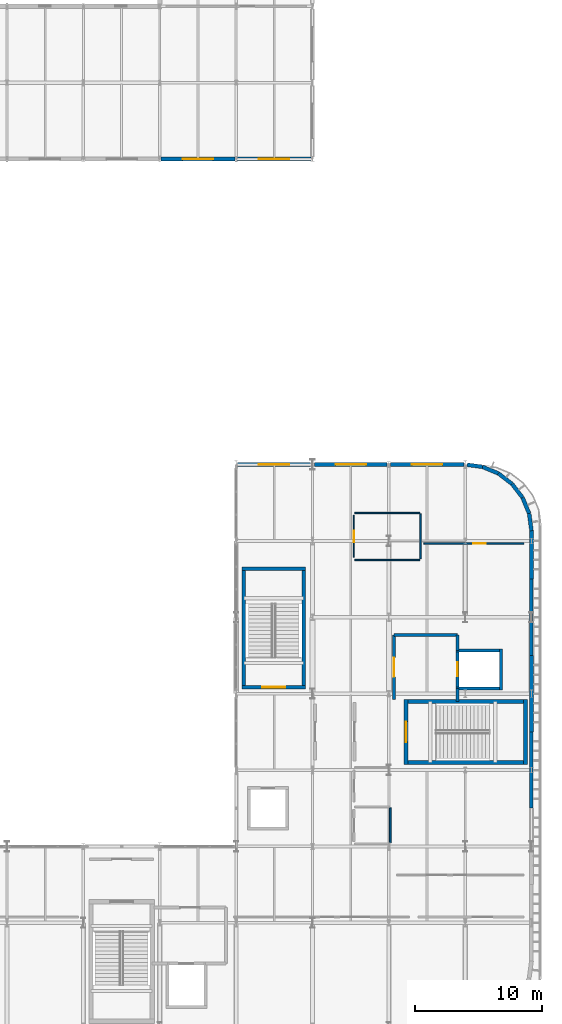
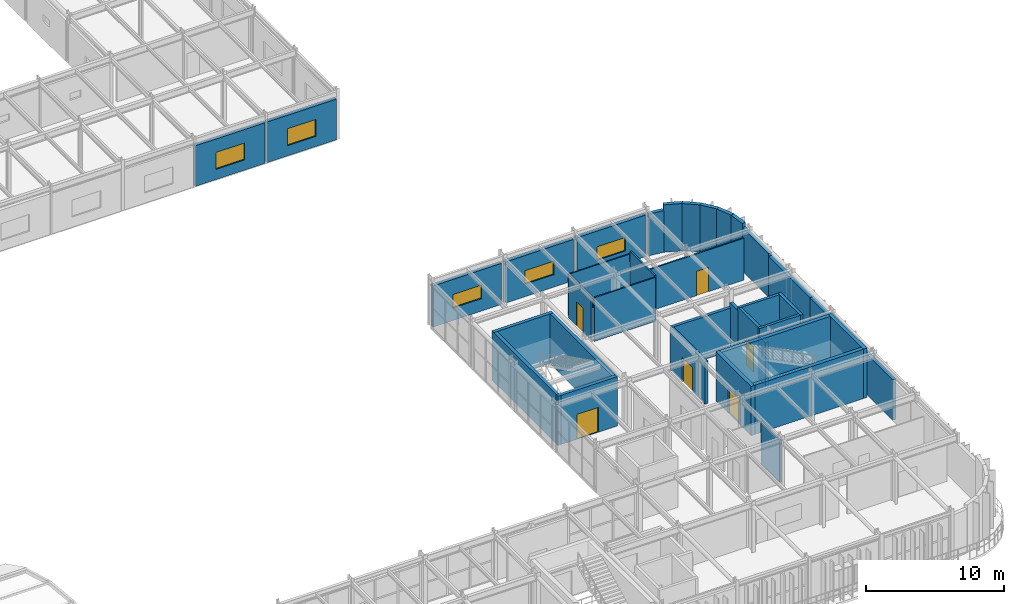
# One storey, part 63 of 84: 37 walls, 6 doors, 5 windows, 11 openings.
"""IFC4 building model written with IfcOpenShell, lengths in metres."""

from ifc_helpers import new_model, si_unit, direction, frame, frame_2d, origin, place, context, subcontext, project, spatial, rectangle, extrude, material, layer, layer_set, type_object, element, fill, save


model = new_model("IFC4")

# Units and contexts
model_context = context("Model", 3, precision=1e-05, world=origin(), true_north=direction((0.0, 1.0)))
body_context = subcontext(model_context, "Body", "Model", "MODEL_VIEW")
ifc_project = project(units=[si_unit("LENGTHUNIT", "METRE"), si_unit("AREAUNIT", "SQUARE_METRE"), si_unit("VOLUMEUNIT", "CUBIC_METRE"), si_unit("PLANEANGLEUNIT", "RADIAN"), si_unit("MASSUNIT", "GRAM", prefix="KILO")], contexts=[model_context])

# Site, building, storey
site_placement = place(None, origin())
site = spatial("IfcSite", under=ifc_project, at=site_placement, CompositionType="ELEMENT")
building_placement = place(site_placement, origin())
building = spatial("IfcBuilding", under=site, at=building_placement, Name="Varnakota Square Police Headquarters", CompositionType="ELEMENT")
storey_placement = place(building_placement, frame((0.0, 0.0, 13.5)))
storey = spatial("IfcBuildingStorey", under=building, at=storey_placement, Name="L03", CompositionType="ELEMENT", Elevation=13.5)

# Walls
ifc_material_1 = material(Name="Concrete M40", Category="concrete")
ifc_layer_1 = layer(ifc_material_1, 0.22998046875, Name="Concrete M40")
ifc_layer_set_1 = layer_set([ifc_layer_1], Name="Concrete M40")
wall_type_1 = type_object("IfcWallType", Name="WL-CORE-230", PredefinedType="SHEAR", material=ifc_layer_set_1)
wall_1_placement = place(storey_placement, frame((155.284912109375, 27.39990234375, 0.0), z_axis=(0.0, 0.0, 1.0), x_axis=(1.0, 0.0, 0.0)))
element("IfcWall", 1, at=wall_1_placement, inside=storey, type_object=wall_type_1, Name="Lift shaft wall LF-FF2 L03 S", PredefinedType="SHEAR", context=body_context, shape_type="SweptSolid", body=[
    extrude(rectangle(XDim=3.630126953125, YDim=0.22998046875, at=frame_2d((1.81494140625, 0.0))), origin(), (0.0, 0.0, 1.0), 4.5),
])
wall_2_placement = place(storey_placement, frame((158.800048828125, 27.284912109375, 0.0), z_axis=(0.0, 0.0, 1.0), x_axis=(0.0, 1.0, 0.0)))
element("IfcWall", 2, at=wall_2_placement, inside=storey, type_object=wall_type_1, Name="Lift shaft wall LF-FF2 L03 E", PredefinedType="SHEAR", context=body_context, shape_type="SweptSolid", body=[
    extrude(rectangle(XDim=3.22998046875, YDim=0.22998046875, at=frame_2d((1.614990234375, 0.0))), origin(), (0.0, 0.0, 1.0), 4.5),
])
wall_3_placement = place(storey_placement, frame((158.9150390625, 30.39990234375, 0.0), z_axis=(0.0, 0.0, 1.0), x_axis=(-1.0, 0.0, 0.0)))
element("IfcWall", 3, at=wall_3_placement, inside=storey, type_object=wall_type_1, Name="Lift shaft wall LF-FF2 L03 N", PredefinedType="SHEAR", context=body_context, shape_type="SweptSolid", body=[
    extrude(rectangle(XDim=3.630126953125, YDim=0.22998046875, at=frame_2d((1.81494140625, 0.0))), origin(), (0.0, 0.0, 1.0), 4.5),
])

# Wall, opening, door
wall_4_placement = place(storey_placement, frame((155.39990234375, 30.514892578125, 0.0), z_axis=(0.0, 0.0, 1.0), x_axis=(0.0, -1.0, 0.0)))
wall_4 = element("IfcWall", 4, at=wall_4_placement, inside=storey, type_object=wall_type_1, Name="Lift shaft wall LF-FF2 L03 W", PredefinedType="SHEAR", context=body_context, shape_type="SweptSolid", body=[
    extrude(rectangle(XDim=3.22998046875, YDim=0.22998046875, at=frame_2d((1.614990234375, 0.0))), origin(), (0.0, 0.0, 1.0), 4.5),
])
opening_1_placement = place(wall_4_placement, frame((1.06494140625, 0.0, 0.0)))
opening_1 = element("IfcOpeningElement", 5, at=opening_1_placement, cuts=wall_4, Name="Opening LD012", PredefinedType="OPENING", context=body_context, shape_type="SweptSolid", body=[
    extrude(rectangle(XDim=1.10009765625, YDim=2.199951171875, at=frame_2d((0.550048828125, 1.10009765625))), frame((0.0, 0.125, 0.0), z_axis=(0.0, -1.0, 0.0), x_axis=(1.0, 0.0, 0.0)), (0.0, 0.0, 1.0), 0.25),
])
ifc_material_2 = material(Name="Brushed Grade 316 Stainless Steel", Category="steel")
door_type_1 = type_object("IfcDoorType", Name="DR-LD-FF", OperationType="NOTDEFINED", PredefinedType="DOOR", material=ifc_material_2)
door_1_placement = place(opening_1_placement, origin())
door_1 = element("IfcDoor", 6, at=door_1_placement, inside=storey, type_object=door_type_1, Name="Lift sliding landing door LD012", OperationType="SLIDING_TO_LEFT", OverallHeight=2.199951171875, OverallWidth=1.10009765625, PredefinedType="DOOR", context=body_context, shape_type="SweptSolid", body=[
    extrude(rectangle(XDim=1.10009765625, YDim=2.199951171875, at=frame_2d((0.550048828125, 1.10009765625))), frame((0.0, 0.02490234375, 0.0), z_axis=(0.0, -1.0, 0.0), x_axis=(1.0, 0.0, 0.0)), (0.0, 0.0, 1.0), 0.050048828125),
])
fill(opening_1, door_1)

ifc_material_3 = material(Name="Concrete M50", Category="concrete")
ifc_layer_2 = layer(ifc_material_3, 0.27001953125, Name="Concrete M50")
ifc_layer_set_2 = layer_set([ifc_layer_2], Name="Concrete M50")
wall_type_2 = type_object("IfcWallType", Name="WL-CORE-270", PredefinedType="SHEAR", material=ifc_layer_set_2)
wall_5_placement = place(storey_placement, frame((138.465087890625, 27.5, 0.0), z_axis=(0.0, 0.0, 1.0), x_axis=(1.0, 0.0, 0.0)))
wall_5 = element("IfcWall", 7, at=wall_5_placement, inside=storey, type_object=wall_type_2, Name="Core C3 shear wall L03 S", PredefinedType="SHEAR", context=body_context, shape_type="SweptSolid", body=[
    extrude(rectangle(XDim=4.969970703125, YDim=0.27001953125, at=frame_2d((2.48486328125, 0.0))), origin(), (0.0, 0.0, 1.0), 4.360107421875),
])
opening_2_placement = place(wall_5_placement, frame((1.5849609375, 0.0, 0.0)))
opening_2 = element("IfcOpeningElement", 8, at=opening_2_placement, cuts=wall_5, Name="Opening SD052", PredefinedType="OPENING", context=body_context, shape_type="SweptSolid", body=[
    extrude(rectangle(XDim=1.800048828125, YDim=2.199951171875, at=frame_2d((0.89990234375, 1.10009765625))), frame((0.0, 0.14501953125, 0.0), z_axis=(0.0, -1.0, 0.0), x_axis=(1.0, 0.0, 0.0)), (0.0, 0.0, 1.0), 0.2900390625),
])
ifc_material_4 = material(Name="Powder-Coated Galvanised Steel", Category="steel")
door_type_2 = type_object("IfcDoorType", Name="DR-ST-180", OperationType="NOTDEFINED", PredefinedType="DOOR", material=ifc_material_4)
door_2_placement = place(opening_2_placement, origin())
door_2 = element("IfcDoor", 9, at=door_2_placement, inside=storey, type_object=door_type_2, Name="Protected stair door SD052", OperationType="DOUBLE_DOOR_SINGLE_SWING", OverallHeight=2.199951171875, OverallWidth=1.800048828125, PredefinedType="DOOR", context=body_context, shape_type="SweptSolid", body=[
    extrude(rectangle(XDim=1.800048828125, YDim=2.199951171875, at=frame_2d((0.89990234375, 1.10009765625))), frame((0.0, 0.02490234375, 0.0), z_axis=(0.0, -1.0, 0.0), x_axis=(1.0, 0.0, 0.0)), (0.0, 0.0, 1.0), 0.050048828125),
])
fill(opening_2, door_2)

# Walls
wall_6_placement = place(storey_placement, frame((143.300048828125, 27.364990234375, 0.0), z_axis=(0.0, 0.0, 1.0), x_axis=(0.0, 1.0, 0.0)))
element("IfcWall", 10, at=wall_6_placement, inside=storey, type_object=wall_type_2, Name="Core C3 shear wall L03 E", PredefinedType="SHEAR", context=body_context, shape_type="SweptSolid", body=[
    extrude(rectangle(XDim=9.570068359375, YDim=0.27001953125, at=frame_2d((4.78515625, 0.0))), origin(), (0.0, 0.0, 1.0), 4.360107421875),
])
wall_7_placement = place(storey_placement, frame((143.43505859375, 36.800048828125, 0.0), z_axis=(0.0, 0.0, 1.0), x_axis=(-1.0, 0.0, 0.0)))
element("IfcWall", 11, at=wall_7_placement, inside=storey, type_object=wall_type_2, Name="Core C3 shear wall L03 N", PredefinedType="SHEAR", context=body_context, shape_type="SweptSolid", body=[
    extrude(rectangle(XDim=4.969970703125, YDim=0.27001953125, at=frame_2d((2.48486328125, 0.0))), origin(), (0.0, 0.0, 1.0), 4.360107421875),
])
wall_8_placement = place(storey_placement, frame((138.60009765625, 36.93505859375, 0.0), z_axis=(0.0, 0.0, 1.0), x_axis=(0.0, -1.0, 0.0)))
element("IfcWall", 12, at=wall_8_placement, inside=storey, type_object=wall_type_2, Name="Core C3 shear wall L03 W", PredefinedType="SHEAR", context=body_context, shape_type="SweptSolid", body=[
    extrude(rectangle(XDim=9.570068359375, YDim=0.27001953125, at=frame_2d((4.78515625, 0.0))), origin(), (0.0, 0.0, 1.0), 4.360107421875),
])
ifc_layer_3 = layer(ifc_material_3, 0.31005859375, Name="Concrete M50")
ifc_layer_set_3 = layer_set([ifc_layer_3], Name="Concrete M50")
wall_type_3 = type_object("IfcWallType", Name="WL-CORE-310", PredefinedType="SHEAR", material=ifc_layer_set_3)
wall_9_placement = place(storey_placement, frame((151.195068359375, 21.60009765625, 0.0), z_axis=(0.0, 0.0, 1.0), x_axis=(1.0, 0.0, 0.0)))
element("IfcWall", 13, at=wall_9_placement, inside=storey, type_object=wall_type_3, Name="Core C2 shear wall L03 S", PredefinedType="SHEAR", context=body_context, shape_type="SweptSolid", body=[
    extrude(rectangle(XDim=9.7099609375, YDim=0.31005859375, at=frame_2d((4.85498046875, 0.0))), origin(), (0.0, 0.0, 1.0), 4.360107421875),
])
wall_10_placement = place(storey_placement, frame((160.75, 21.445068359375, 0.0), z_axis=(0.0, 0.0, 1.0), x_axis=(0.0, 1.0, 0.0)))
element("IfcWall", 14, at=wall_10_placement, inside=storey, type_object=wall_type_3, Name="Core C2 shear wall L03 E", PredefinedType="SHEAR", context=body_context, shape_type="SweptSolid", body=[
    extrude(rectangle(XDim=5.10986328125, YDim=0.31005859375, at=frame_2d((2.554931640625, 0.0))), origin(), (0.0, 0.0, 1.0), 4.360107421875),
])
wall_11_placement = place(storey_placement, frame((160.905029296875, 26.39990234375, 0.0), z_axis=(0.0, 0.0, 1.0), x_axis=(-1.0, 0.0, 0.0)))
element("IfcWall", 15, at=wall_11_placement, inside=storey, type_object=wall_type_3, Name="Core C2 shear wall L03 N", PredefinedType="SHEAR", context=body_context, shape_type="SweptSolid", body=[
    extrude(rectangle(XDim=9.7099609375, YDim=0.31005859375, at=frame_2d((4.85498046875, 0.0))), origin(), (0.0, 0.0, 1.0), 4.360107421875),
])

# Wall, opening, door
wall_12_placement = place(storey_placement, frame((151.35009765625, 26.554931640625, 0.0), z_axis=(0.0, 0.0, 1.0), x_axis=(0.0, -1.0, 0.0)))
wall_12 = element("IfcWall", 16, at=wall_12_placement, inside=storey, type_object=wall_type_3, Name="Core C2 shear wall L03 W", PredefinedType="SHEAR", context=body_context, shape_type="SweptSolid", body=[
    extrude(rectangle(XDim=5.10986328125, YDim=0.31005859375, at=frame_2d((2.554931640625, 0.0))), origin(), (0.0, 0.0, 1.0), 4.360107421875),
])
opening_3_placement = place(wall_12_placement, frame((1.7548828125, 0.0, 0.0)))
opening_3 = element("IfcOpeningElement", 17, at=opening_3_placement, cuts=wall_12, Name="Opening SD028", PredefinedType="OPENING", context=body_context, shape_type="SweptSolid", body=[
    extrude(rectangle(XDim=1.60009765625, YDim=2.199951171875, at=frame_2d((0.800048828125, 1.10009765625))), frame((0.0, 0.1650390625, 0.0), z_axis=(0.0, -1.0, 0.0), x_axis=(1.0, 0.0, 0.0)), (0.0, 0.0, 1.0), 0.330078125),
])
door_type_3 = type_object("IfcDoorType", Name="DR-ST-160", OperationType="NOTDEFINED", PredefinedType="DOOR", material=ifc_material_4)
door_3_placement = place(opening_3_placement, origin())
door_3 = element("IfcDoor", 18, at=door_3_placement, inside=storey, type_object=door_type_3, Name="Protected stair door SD028", OperationType="DOUBLE_DOOR_SINGLE_SWING", OverallHeight=2.199951171875, OverallWidth=1.60009765625, PredefinedType="DOOR", context=body_context, shape_type="SweptSolid", body=[
    extrude(rectangle(XDim=1.60009765625, YDim=2.199951171875, at=frame_2d((0.800048828125, 1.10009765625))), frame((0.0, 0.02490234375, 0.0), z_axis=(0.0, -1.0, 0.0), x_axis=(1.0, 0.0, 0.0)), (0.0, 0.0, 1.0), 0.050048828125),
])
fill(opening_3, door_3)

# Walls
ifc_layer_4 = layer(ifc_material_1, 0.280029296875, Name="Concrete M40")
ifc_layer_set_4 = layer_set([ifc_layer_4], Name="Concrete M40")
wall_type_4 = type_object("IfcWallType", Name="WL-EXT-280", PredefinedType="SOLIDWALL", material=ifc_layer_set_4)
for number, where, z_axis, x_axis, name in (
    (19, (161.199951171875, 18.0, 0.0), (0.0, 0.0, 1.0), (0.0, 1.0, 0.0), "Exterior wall EW-L03-0217"),
    (20, (161.199951171875, 30.0, 0.0), (0.0, 0.0, 1.0), (0.0, 1.0, 0.0), "Exterior wall EW-L03-0219"),
):
    element("IfcWall", number, at=place(storey_placement, frame(where, z_axis=z_axis, x_axis=x_axis)), inside=storey, type_object=wall_type_4, Name=name, PredefinedType="SOLIDWALL", context=body_context, shape_type="SweptSolid", body=[
        extrude(rectangle(XDim=6.0, YDim=0.280029296875, at=frame_2d((3.0, 0.0))), origin(), (0.0, 0.0, 1.0), 3.590087890625),
    ])
ifc_material_5 = material(Name="Precast concrete M40", Category="concrete")
ifc_layer_5 = layer(ifc_material_5, 0.300048828125, Name="Precast concrete M40")
ifc_layer_set_5 = layer_set([ifc_layer_5], Name="Precast concrete M40")
wall_type_5 = type_object("IfcWallType", Name="WL-EXT-300", PredefinedType="SOLIDWALL", material=ifc_layer_set_5)
wall_13_placement = place(storey_placement, frame((161.199951171875, 24.0, 0.0), z_axis=(0.0, 0.0, 1.0), x_axis=(0.0, 1.0, 0.0)))
element("IfcWall", 21, at=wall_13_placement, inside=storey, type_object=wall_type_5, Name="Exterior wall EW-L03-0218", PredefinedType="SOLIDWALL", context=body_context, shape_type="SweptSolid", body=[
    extrude(rectangle(XDim=6.0, YDim=0.300048828125, at=frame_2d((3.0, 0.0))), origin(), (0.0, 0.0, 1.0), 3.590087890625),
])
wall_14_placement = place(storey_placement, frame((161.199951171875, 36.0, 0.0), z_axis=(0.0, 0.0, 1.0), x_axis=(0.0, 1.0, 0.0)))
element("IfcWall", 22, at=wall_14_placement, inside=storey, type_object=wall_type_5, Name="Exterior wall EW-L03-0220", PredefinedType="SOLIDWALL", context=body_context, shape_type="SweptSolid", body=[
    extrude(rectangle(XDim=3.800048828125, YDim=0.300048828125, at=frame_2d((1.89990234375, 0.0))), origin(), (0.0, 0.0, 1.0), 3.840087890625),
])

# Wall, opening, window
wall_15_placement = place(storey_placement, frame((138.10888671875, 45.0, 0.0), z_axis=(0.0, 0.0, 1.0), x_axis=(1.0, 0.0, 0.0)))
wall_15 = element("IfcWall", 23, at=wall_15_placement, inside=storey, type_object=wall_type_5, Name="Exterior wall EW-L03-0225", PredefinedType="SOLIDWALL", context=body_context, shape_type="SweptSolid", body=[
    extrude(rectangle(XDim=5.72705078125, YDim=0.300048828125, at=frame_2d((2.863525390625, 0.0))), origin(), (0.0, 0.0, 1.0), 3.639892578125),
])
opening_4_placement = place(wall_15_placement, frame((1.66357421875, 0.0, 1.10009765625)))
opening_4 = element("IfcOpeningElement", 24, at=opening_4_placement, cuts=wall_15, Name="Opening W06", PredefinedType="OPENING", context=body_context, shape_type="SweptSolid", body=[
    extrude(rectangle(XDim=2.39990234375, YDim=1.199951171875, at=frame_2d((1.199951171875, 0.60009765625))), frame((0.0, 0.159912109375, 0.0), z_axis=(0.0, -1.0, 0.0), x_axis=(1.0, 0.0, 0.0)), (0.0, 0.0, 1.0), 0.320068359375),
])
ifc_material_6 = material(Name="Thermally Broken Aluminium Double-Glazed Window", Category="aluminium")
window_type_1 = type_object("IfcWindowType", Name="WIN-06", PartitioningType="SINGLE_PANEL", PredefinedType="WINDOW", material=ifc_material_6)
window_1_placement = place(opening_4_placement, origin())
window_1 = element("IfcWindow", 25, at=window_1_placement, inside=storey, type_object=window_type_1, Name="Window WN-L03-0037", OverallHeight=1.199951171875, OverallWidth=2.39990234375, PartitioningType="SINGLE_PANEL", PredefinedType="WINDOW", context=body_context, shape_type="SweptSolid", body=[
    extrude(rectangle(XDim=2.39990234375, YDim=1.199951171875, at=frame_2d((1.199951171875, 0.60009765625))), frame((0.0, 0.030029296875, 0.0), z_axis=(0.0, -1.0, 0.0), x_axis=(1.0, 0.0, 0.0)), (0.0, 0.0, 1.0), 0.06005859375),
])
fill(opening_4, window_1)

wall_16_placement = place(storey_placement, frame((144.1640625, 45.0, 0.0), z_axis=(0.0, 0.0, 1.0), x_axis=(1.0, 0.0, 0.0)))
wall_16 = element("IfcWall", 26, at=wall_16_placement, inside=storey, type_object=wall_type_5, Name="Exterior wall EW-L03-0226", PredefinedType="SOLIDWALL", context=body_context, shape_type="SweptSolid", body=[
    extrude(rectangle(XDim=5.70703125, YDim=0.300048828125, at=frame_2d((2.853515625, 0.0))), origin(), (0.0, 0.0, 1.0), 3.639892578125),
])
opening_5_placement = place(wall_16_placement, frame((1.653564453125, 0.0, 1.10009765625)))
opening_5 = element("IfcOpeningElement", 27, at=opening_5_placement, cuts=wall_16, Name="Opening W06", PredefinedType="OPENING", context=body_context, shape_type="SweptSolid", body=[
    extrude(rectangle(XDim=2.39990234375, YDim=1.199951171875, at=frame_2d((1.199951171875, 0.60009765625))), frame((0.0, 0.159912109375, 0.0), z_axis=(0.0, -1.0, 0.0), x_axis=(1.0, 0.0, 0.0)), (0.0, 0.0, 1.0), 0.320068359375),
])
window_2_placement = place(opening_5_placement, origin())
window_2 = element("IfcWindow", 28, at=window_2_placement, inside=storey, type_object=window_type_1, Name="Window WN-L03-0038", OverallHeight=1.199951171875, OverallWidth=2.39990234375, PartitioningType="SINGLE_PANEL", PredefinedType="WINDOW", context=body_context, shape_type="SweptSolid", body=[
    extrude(rectangle(XDim=2.39990234375, YDim=1.199951171875, at=frame_2d((1.199951171875, 0.60009765625))), frame((0.0, 0.030029296875, 0.0), z_axis=(0.0, -1.0, 0.0), x_axis=(1.0, 0.0, 0.0)), (0.0, 0.0, 1.0), 0.06005859375),
])
fill(opening_5, window_2)

wall_17_placement = place(storey_placement, frame((150.12890625, 45.0, 0.0), z_axis=(0.0, 0.0, 1.0), x_axis=(1.0, 0.0, 0.0)))
wall_17 = element("IfcWall", 29, at=wall_17_placement, inside=storey, type_object=wall_type_5, Name="Exterior wall EW-L03-0227", PredefinedType="SOLIDWALL", context=body_context, shape_type="SweptSolid", body=[
    extrude(rectangle(XDim=5.76220703125, YDim=0.300048828125, at=frame_2d((2.881103515625, 0.0))), origin(), (0.0, 0.0, 1.0), 3.68994140625),
])
opening_6_placement = place(wall_17_placement, frame((1.680908203125, 0.0, 1.10009765625)))
opening_6 = element("IfcOpeningElement", 30, at=opening_6_placement, cuts=wall_17, Name="Opening W06", PredefinedType="OPENING", context=body_context, shape_type="SweptSolid", body=[
    extrude(rectangle(XDim=2.39990234375, YDim=1.199951171875, at=frame_2d((1.199951171875, 0.60009765625))), frame((0.0, 0.159912109375, 0.0), z_axis=(0.0, -1.0, 0.0), x_axis=(1.0, 0.0, 0.0)), (0.0, 0.0, 1.0), 0.320068359375),
])
window_3_placement = place(opening_6_placement, origin())
window_3 = element("IfcWindow", 31, at=window_3_placement, inside=storey, type_object=window_type_1, Name="Window WN-L03-0039", OverallHeight=1.199951171875, OverallWidth=2.39990234375, PartitioningType="SINGLE_PANEL", PredefinedType="WINDOW", context=body_context, shape_type="SweptSolid", body=[
    extrude(rectangle(XDim=2.39990234375, YDim=1.199951171875, at=frame_2d((1.199951171875, 0.60009765625))), frame((0.0, 0.030029296875, 0.0), z_axis=(0.0, -1.0, 0.0), x_axis=(1.0, 0.0, 0.0)), (0.0, 0.0, 1.0), 0.06005859375),
])
fill(opening_6, window_3)

# Walls
wall_18_placement = place(storey_placement, frame((161.199951171875, 39.800048828125, 0.0), z_axis=(0.0, 0.0, 1.0), x_axis=(-0.130561507967, 0.991440211328, 0.0)))
element("IfcWall", 32, at=wall_18_placement, inside=storey, type_object=wall_type_5, Name="Exterior wall EW-L03-0240", PredefinedType="SOLIDWALL", context=body_context, shape_type="SweptSolid", body=[
    extrude(rectangle(XDim=1.357666015625, YDim=0.300048828125, at=frame_2d((0.6787109375, 0.0))), origin(), (0.0, 0.0, 1.0), 4.195068359375),
])
wall_19_placement = place(storey_placement, frame((161.022705078125, 41.14599609375, 0.0), z_axis=(0.0, 0.0, 1.0), x_axis=(-0.382621882407, 0.923905024937, 0.0)))
element("IfcWall", 33, at=wall_19_placement, inside=storey, type_object=wall_type_5, Name="Exterior wall EW-L03-0241", PredefinedType="SOLIDWALL", context=body_context, shape_type="SweptSolid", body=[
    extrude(rectangle(XDim=1.357177734375, YDim=0.300048828125, at=frame_2d((0.6787109375, 0.0))), origin(), (0.0, 0.0, 1.0), 4.195068359375),
])
wall_20_placement = place(storey_placement, frame((160.50341796875, 42.39990234375, 0.0), z_axis=(0.0, 0.0, 1.0), x_axis=(-0.60871087169, 0.793392131727, 0.0)))
element("IfcWall", 34, at=wall_20_placement, inside=storey, type_object=wall_type_5, Name="Exterior wall EW-L03-0242", PredefinedType="SOLIDWALL", context=body_context, shape_type="SweptSolid", body=[
    extrude(rectangle(XDim=1.357666015625, YDim=0.300048828125, at=frame_2d((0.6787109375, 0.0))), origin(), (0.0, 0.0, 1.0), 4.195068359375),
])
for number, where, z_axis, x_axis, name in (
    (35, (159.677001953125, 43.47705078125, 0.0), (0.0, 0.0, 1.0), (-0.793412351971, 0.608684515772, 0.0), "Exterior wall EW-L03-0243"),
    (36, (158.60009765625, 44.30322265625, 0.0), (0.0, 0.0, 1.0), (-0.92386777328, 0.382711820428, 0.0), "Exterior wall EW-L03-0244"),
):
    element("IfcWall", number, at=place(storey_placement, frame(where, z_axis=z_axis, x_axis=x_axis)), inside=storey, type_object=wall_type_5, Name=name, PredefinedType="SOLIDWALL", context=body_context, shape_type="SweptSolid", body=[
        extrude(rectangle(XDim=1.357421875, YDim=0.300048828125, at=frame_2d((0.6787109375, 0.0))), origin(), (0.0, 0.0, 1.0), 4.195068359375),
    ])
wall_21_placement = place(storey_placement, frame((157.345947265625, 44.82275390625, 0.0), z_axis=(0.0, 0.0, 1.0), x_axis=(-0.99144674145, 0.130511910828, 0.0)))
element("IfcWall", 37, at=wall_21_placement, inside=storey, type_object=wall_type_5, Name="Exterior wall EW-L03-0245", PredefinedType="SOLIDWALL", context=body_context, shape_type="SweptSolid", body=[
    extrude(rectangle(XDim=1.210205078125, YDim=0.300048828125, at=frame_2d((0.60498046875, 0.0))), origin(), (0.0, 0.0, 1.0), 3.68994140625),
])

# Wall, opening, window
wall_22_placement = place(storey_placement, frame((132.0791015625, 69.0, 0.0), z_axis=(0.0, 0.0, 1.0), x_axis=(1.0, 0.0, 0.0)))
wall_22 = element("IfcWall", 38, at=wall_22_placement, inside=storey, type_object=wall_type_5, Name="Exterior wall EW-L03-0774", PredefinedType="SOLIDWALL", context=body_context, shape_type="SweptSolid", body=[
    extrude(rectangle(XDim=5.846923828125, YDim=0.300048828125, at=frame_2d((2.92333984375, 0.0))), origin(), (0.0, 0.0, 1.0), 3.590087890625),
])
opening_7_placement = place(wall_22_placement, frame((1.723388671875, 0.0, 0.89990234375)))
opening_7 = element("IfcOpeningElement", 39, at=opening_7_placement, cuts=wall_22, Name="Opening W02", PredefinedType="OPENING", context=body_context, shape_type="SweptSolid", body=[
    extrude(rectangle(XDim=2.39990234375, YDim=1.5, at=frame_2d((1.199951171875, 0.75))), frame((0.0, 0.159912109375, 0.0), z_axis=(0.0, -1.0, 0.0), x_axis=(1.0, 0.0, 0.0)), (0.0, 0.0, 1.0), 0.320068359375),
])
window_type_2 = type_object("IfcWindowType", Name="WIN-02", PartitioningType="SINGLE_PANEL", PredefinedType="WINDOW", material=ifc_material_6)
window_4_placement = place(opening_7_placement, origin())
window_4 = element("IfcWindow", 40, at=window_4_placement, inside=storey, type_object=window_type_2, Name="Window WN-L03-0271", OverallHeight=1.5, OverallWidth=2.39990234375, PartitioningType="SINGLE_PANEL", PredefinedType="WINDOW", context=body_context, shape_type="SweptSolid", body=[
    extrude(rectangle(XDim=2.39990234375, YDim=1.5, at=frame_2d((1.199951171875, 0.75))), frame((0.0, 0.030029296875, 0.0), z_axis=(0.0, -1.0, 0.0), x_axis=(1.0, 0.0, 0.0)), (0.0, 0.0, 1.0), 0.06005859375),
])
fill(opening_7, window_4)

wall_23_placement = place(storey_placement, frame((138.073974609375, 69.0, 0.0), z_axis=(0.0, 0.0, 1.0), x_axis=(1.0, 0.0, 0.0)))
wall_23 = element("IfcWall", 41, at=wall_23_placement, inside=storey, type_object=wall_type_5, Name="Exterior wall EW-L03-0775", PredefinedType="SOLIDWALL", context=body_context, shape_type="SweptSolid", body=[
    extrude(rectangle(XDim=5.797119140625, YDim=0.300048828125, at=frame_2d((2.8984375, 0.0))), origin(), (0.0, 0.0, 1.0), 3.590087890625),
])
opening_8_placement = place(wall_23_placement, frame((1.698486328125, 0.0, 0.89990234375)))
opening_8 = element("IfcOpeningElement", 42, at=opening_8_placement, cuts=wall_23, Name="Opening W02", PredefinedType="OPENING", context=body_context, shape_type="SweptSolid", body=[
    extrude(rectangle(XDim=2.39990234375, YDim=1.5, at=frame_2d((1.199951171875, 0.75))), frame((0.0, 0.159912109375, 0.0), z_axis=(0.0, -1.0, 0.0), x_axis=(1.0, 0.0, 0.0)), (0.0, 0.0, 1.0), 0.320068359375),
])
window_5_placement = place(opening_8_placement, origin())
window_5 = element("IfcWindow", 43, at=window_5_placement, inside=storey, type_object=window_type_2, Name="Window WN-L03-0272", OverallHeight=1.5, OverallWidth=2.39990234375, PartitioningType="SINGLE_PANEL", PredefinedType="WINDOW", context=body_context, shape_type="SweptSolid", body=[
    extrude(rectangle(XDim=2.39990234375, YDim=1.5, at=frame_2d((1.199951171875, 0.75))), frame((0.0, 0.030029296875, 0.0), z_axis=(0.0, -1.0, 0.0), x_axis=(1.0, 0.0, 0.0)), (0.0, 0.0, 1.0), 0.06005859375),
])
fill(opening_8, window_5)

# Wall, opening, door
ifc_material_7 = material(Name="Lightweight Demountable Office Partition", Category="gypsum")
ifc_layer_6 = layer(ifc_material_7, 0.094970703125, Name="Lightweight Demountable Office Partition")
ifc_layer_set_6 = layer_set([ifc_layer_6], Name="Lightweight Demountable Office Partition")
wall_type_6 = type_object("IfcWallType", Name="WL-PRT-095", PredefinedType="PARTITIONING", material=ifc_layer_set_6)
wall_24_placement = place(storey_placement, frame((147.25, 37.699951171875, 0.0), z_axis=(0.0, 0.0, 1.0), x_axis=(0.0, 1.0, 0.0)))
wall_24 = element("IfcWall", 44, at=wall_24_placement, inside=storey, type_object=wall_type_6, Name="Interior partition PW-L03-0166 (L03 Operations Women Washroom WC)", PredefinedType="PARTITIONING", context=body_context, shape_type="SweptSolid", body=[
    extrude(rectangle(XDim=3.300048828125, YDim=0.094970703125, at=frame_2d((1.64990234375, 0.0))), origin(), (0.0, 0.0, 1.0), 3.889892578125),
])
opening_9_placement = place(wall_24_placement, frame((1.199951171875, 0.0, 0.0)))
opening_9 = element("IfcOpeningElement", 45, at=opening_9_placement, cuts=wall_24, Name="Opening D242", PredefinedType="OPENING", context=body_context, shape_type="SweptSolid", body=[
    extrude(rectangle(XDim=0.89990234375, YDim=2.10009765625, at=frame_2d((0.449951171875, 1.050048828125))), frame((0.0, 0.057373046875, 0.0), z_axis=(0.0, -1.0, 0.0), x_axis=(1.0, 0.0, 0.0)), (0.0, 0.0, 1.0), 0.114990234375),
])
ifc_material_8 = material(Name="High-Pressure Moisture-Resistant Compact Laminate")
door_type_4 = type_object("IfcDoorType", Name="DR-WC-090", OperationType="NOTDEFINED", PredefinedType="DOOR", material=ifc_material_8)
door_4_placement = place(opening_9_placement, origin())
door_4 = element("IfcDoor", 46, at=door_4_placement, inside=storey, type_object=door_type_4, Name="Room door D242 (L03 Operations Women Washroom WC)", OperationType="SINGLE_SWING_RIGHT", OverallHeight=2.10009765625, OverallWidth=0.89990234375, PredefinedType="DOOR", context=body_context, shape_type="SweptSolid", body=[
    extrude(rectangle(XDim=0.89990234375, YDim=2.10009765625, at=frame_2d((0.449951171875, 1.050048828125))), frame((0.0, 0.02490234375, 0.0), z_axis=(0.0, -1.0, 0.0), x_axis=(1.0, 0.0, 0.0)), (0.0, 0.0, 1.0), 0.050048828125),
])
fill(opening_9, door_4)

# Wall
ifc_material_9 = material(Name="Glazed Clean-Lab Modular Partition", Category="gypsum")
ifc_layer_7 = layer(ifc_material_9, 0.10498046875, Name="Glazed Clean-Lab Modular Partition")
ifc_layer_set_7 = layer_set([ifc_layer_7], Name="Glazed Clean-Lab Modular Partition")
wall_type_7 = type_object("IfcWallType", Name="WL-PRT-105", PredefinedType="PARTITIONING", material=ifc_layer_set_7)
wall_25_placement = place(storey_placement, frame((147.330078125, 41.199951171875, 0.0), z_axis=(0.0, 0.0, 1.0), x_axis=(1.0, 0.0, 0.0)))
element("IfcWall", 47, at=wall_25_placement, inside=storey, type_object=wall_type_7, Name="Interior dividing partition PW-L03-0190 (L03 Operations Women Washroom WC)", PredefinedType="PARTITIONING", context=body_context, shape_type="SweptSolid", body=[
    extrude(rectangle(XDim=5.08984375, YDim=0.10498046875, at=frame_2d((2.544921875, 0.0))), origin(), (0.0, 0.0, 1.0), 3.68994140625),
])

# Wall, opening, door
ifc_material_10 = material(Name="Moisture-Resistant Tile-Backed Partition", Category="gypsum")
ifc_layer_8 = layer(ifc_material_10, 0.114990234375, Name="Moisture-Resistant Tile-Backed Partition")
ifc_layer_set_8 = layer_set([ifc_layer_8], Name="Moisture-Resistant Tile-Backed Partition")
wall_type_8 = type_object("IfcWallType", Name="WL-PRT-115", PredefinedType="PARTITIONING", material=ifc_layer_set_8)
wall_26_placement = place(storey_placement, frame((160.60009765625, 38.800048828125, 0.0), z_axis=(0.0, 0.0, 1.0), x_axis=(-1.0, 0.0, 0.0)))
wall_26 = element("IfcWall", 48, at=wall_26_placement, inside=storey, type_object=wall_type_8, Name="Interior partition PW-L03-0178 (Cold Case Archive and Analysis Suite)", PredefinedType="PARTITIONING", context=body_context, shape_type="SweptSolid", body=[
    extrude(rectangle(XDim=7.85009765625, YDim=0.114990234375, at=frame_2d((3.925048828125, 0.0))), origin(), (0.0, 0.0, 1.0), 3.68994140625),
])
opening_10_placement = place(wall_26_placement, frame((2.97509765625, 0.0, 0.0)))
opening_10 = element("IfcOpeningElement", 49, at=opening_10_placement, cuts=wall_26, Name="Opening D254", PredefinedType="OPENING", context=body_context, shape_type="SweptSolid", body=[
    extrude(rectangle(XDim=1.0, YDim=2.14990234375, at=frame_2d((0.5, 1.074951171875))), frame((0.0, 0.0673828125, 0.0), z_axis=(0.0, -1.0, 0.0), x_axis=(1.0, 0.0, 0.0)), (0.0, 0.0, 1.0), 0.135009765625),
])
ifc_material_11 = material(Name="Solid-Core Teak Veneer Hardwood", Category="wood")
door_type_5 = type_object("IfcDoorType", Name="DR-OFF-100", OperationType="NOTDEFINED", PredefinedType="DOOR", material=ifc_material_11)
door_5_placement = place(opening_10_placement, origin())
door_5 = element("IfcDoor", 50, at=door_5_placement, inside=storey, type_object=door_type_5, Name="Room door D254 (Cold Case Archive and Analysis Suite)", OperationType="SINGLE_SWING_LEFT", OverallHeight=2.14990234375, OverallWidth=1.0, PredefinedType="DOOR", context=body_context, shape_type="SweptSolid", body=[
    extrude(rectangle(XDim=1.0, YDim=2.14990234375, at=frame_2d((0.5, 1.074951171875))), frame((0.0, 0.02490234375, 0.0), z_axis=(0.0, -1.0, 0.0), x_axis=(1.0, 0.0, 0.0)), (0.0, 0.0, 1.0), 0.050048828125),
])
fill(opening_10, door_5)

# Walls
wall_27_placement = place(storey_placement, frame((152.419921875, 37.5, 0.0), z_axis=(0.0, 0.0, 1.0), x_axis=(-1.0, 0.0, 0.0)))
element("IfcWall", 51, at=wall_27_placement, inside=storey, type_object=wall_type_8, Name="Interior dividing partition PW-L03-0189 (L03 Operations Women Washroom WC)", PredefinedType="PARTITIONING", context=body_context, shape_type="SweptSolid", body=[
    extrude(rectangle(XDim=5.08984375, YDim=0.114990234375, at=frame_2d((2.544921875, 0.0))), origin(), (0.0, 0.0, 1.0), 3.8662109375),
])
ifc_material_12 = material(Name="Acoustic Insulated Metal-Stud Partition", Category="gypsum")
ifc_layer_9 = layer(ifc_material_12, 0.125, Name="Acoustic Insulated Metal-Stud Partition")
ifc_layer_set_9 = layer_set([ifc_layer_9], Name="Acoustic Insulated Metal-Stud Partition")
wall_type_9 = type_object("IfcWallType", Name="WL-PRT-125", PredefinedType="PARTITIONING", material=ifc_layer_set_9)
wall_28_placement = place(storey_placement, frame((152.5, 41.1201171875, 0.0), z_axis=(0.0, 0.0, 1.0), x_axis=(0.0, -1.0, 0.0)))
element("IfcWall", 52, at=wall_28_placement, inside=storey, type_object=wall_type_9, Name="Interior dividing partition PW-L03-0188 (L03 Operations Women Washroom WC)", PredefinedType="PARTITIONING", context=body_context, shape_type="SweptSolid", body=[
    extrude(rectangle(XDim=3.5400390625, YDim=0.125, at=frame_2d((1.77001953125, 0.0))), origin(), (0.0, 0.0, 1.0), 3.93994140625),
])
ifc_layer_10 = layer(ifc_material_12, 0.139892578125, Name="Acoustic Insulated Metal-Stud Partition")
ifc_layer_set_10 = layer_set([ifc_layer_10], Name="Acoustic Insulated Metal-Stud Partition")
wall_type_10 = type_object("IfcWallType", Name="WL-PRT-140", PredefinedType="PARTITIONING", material=ifc_layer_set_10)
wall_29_placement = place(storey_placement, frame((150.10009765625, 18.02001953125, 0.0), z_axis=(0.0, 0.0, 1.0), x_axis=(0.0, -1.0, 0.0)))
element("IfcWall", 53, at=wall_29_placement, inside=storey, type_object=wall_type_10, Name="Interior dividing partition PW-L03-0184 (L03 Accessible WC East)", PredefinedType="PARTITIONING", context=body_context, shape_type="SweptSolid", body=[
    extrude(rectangle(XDim=2.739990234375, YDim=0.139892578125, at=frame_2d((1.3701171875, 0.0))), origin(), (0.0, 0.0, 1.0), 3.739990234375),
])

# Wall, opening, door
ifc_layer_11 = layer(ifc_material_1, 0.25, Name="Concrete M40")
ifc_layer_set_11 = layer_set([ifc_layer_11], Name="Concrete M40")
wall_type_11 = type_object("IfcWallType", Name="WL-PRT-250F", PredefinedType="PARTITIONING", material=ifc_layer_set_11)
wall_30_placement = place(storey_placement, frame((150.39990234375, 26.550048828125, 0.0), z_axis=(0.0, 0.0, 1.0), x_axis=(0.0, 1.0, 0.0)))
wall_30 = element("IfcWall", 54, at=wall_30_placement, inside=storey, type_object=wall_type_11, Name="Firefighting lobby enclosure C2 L03", PredefinedType="PARTITIONING", context=body_context, shape_type="SweptSolid", body=[
    extrude(rectangle(XDim=5.050048828125, YDim=0.25, at=frame_2d((2.52490234375, 0.0))), origin(), (0.0, 0.0, 1.0), 3.7900390625),
])
opening_11_placement = place(wall_30_placement, frame((1.77490234375, 0.0, 0.0)))
opening_11 = element("IfcOpeningElement", 55, at=opening_11_placement, cuts=wall_30, Name="Opening FD040", PredefinedType="OPENING", context=body_context, shape_type="SweptSolid", body=[
    extrude(rectangle(XDim=1.5, YDim=2.14990234375, at=frame_2d((0.75, 1.074951171875))), frame((0.0, 0.135009765625, 0.0), z_axis=(0.0, -1.0, 0.0), x_axis=(1.0, 0.0, 0.0)), (0.0, 0.0, 1.0), 0.27001953125),
])
ifc_material_13 = material(Name="Smoke-Sealed Galvanised Acoustic Steel", Category="steel")
door_type_6 = type_object("IfcDoorType", Name="DR-FFL-150", OperationType="NOTDEFINED", PredefinedType="DOOR", material=ifc_material_13)
door_6_placement = place(opening_11_placement, origin())
door_6 = element("IfcDoor", 56, at=door_6_placement, inside=storey, type_object=door_type_6, Name="Firefighting lobby fire door FD040", OperationType="DOUBLE_DOOR_SINGLE_SWING", OverallHeight=2.14990234375, OverallWidth=1.5, PredefinedType="DOOR", context=body_context, shape_type="SweptSolid", body=[
    extrude(rectangle(XDim=1.5, YDim=2.14990234375, at=frame_2d((0.75, 1.074951171875))), frame((0.0, 0.02490234375, 0.0), z_axis=(0.0, -1.0, 0.0), x_axis=(1.0, 0.0, 0.0)), (0.0, 0.0, 1.0), 0.050048828125),
])
fill(opening_11, door_6)

# Walls
wall_31_placement = place(storey_placement, frame((150.39990234375, 31.60009765625, 0.0), z_axis=(0.0, 0.0, 1.0), x_axis=(1.0, 0.0, 0.0)))
element("IfcWall", 57, at=wall_31_placement, inside=storey, type_object=wall_type_11, Name="Firefighting lobby return wall C2 L03 N", PredefinedType="PARTITIONING", context=body_context, shape_type="SweptSolid", body=[
    extrude(rectangle(XDim=5.0, YDim=0.25, at=frame_2d((2.5, 0.0))), origin(), (0.0, 0.0, 1.0), 3.7900390625),
])
wall_32_placement = place(storey_placement, frame((155.39990234375, 30.39990234375, 0.0), z_axis=(0.0, 0.0, 1.0), x_axis=(0.0, 1.0, 0.0)))
element("IfcWall", 58, at=wall_32_placement, inside=storey, type_object=wall_type_11, Name="Firefighting lobby return wall C2 L03 EN", PredefinedType="PARTITIONING", context=body_context, shape_type="SweptSolid", body=[
    extrude(rectangle(XDim=1.2001953125, YDim=0.25, at=frame_2d((0.60009765625, 0.0))), origin(), (0.0, 0.0, 1.0), 4.18994140625),
])
wall_33_placement = place(storey_placement, frame((155.39990234375, 26.39990234375, 0.0), z_axis=(0.0, 0.0, 1.0), x_axis=(0.0, 1.0, 0.0)))
element("IfcWall", 59, at=wall_33_placement, inside=storey, type_object=wall_type_11, Name="Firefighting lobby return wall C2 L03 ES", PredefinedType="PARTITIONING", context=body_context, shape_type="SweptSolid", body=[
    extrude(rectangle(XDim=1.0, YDim=0.25, at=frame_2d((0.5, 0.0))), origin(), (0.0, 0.0, 1.0), 3.7900390625),
])

save(model, "model.ifc")
